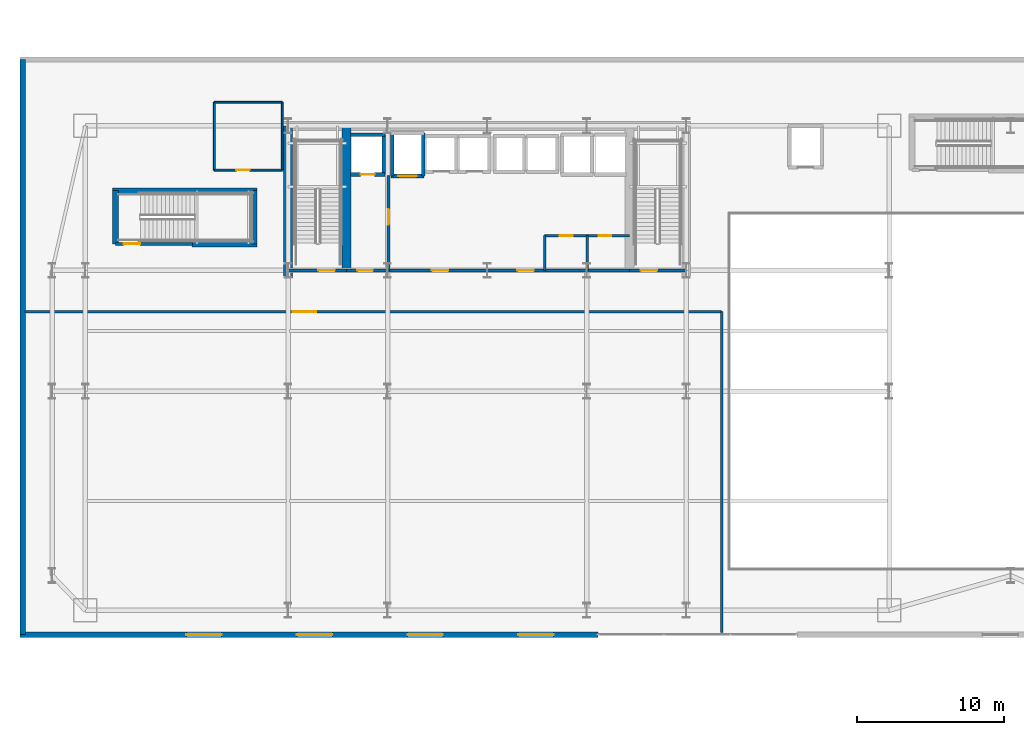
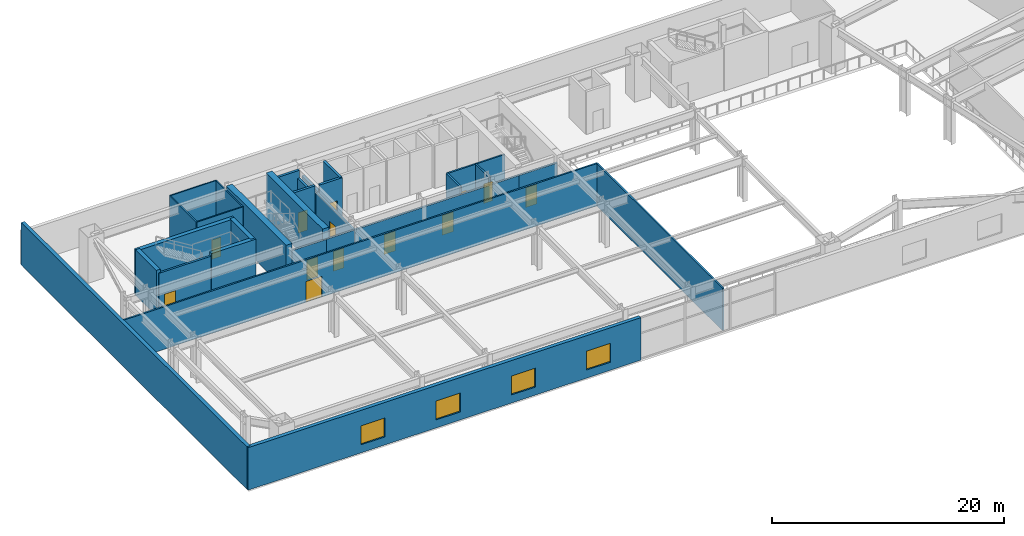
# One storey, part 12 of 25: 29 walls, 13 doors, 4 windows, 17 openings.
"""IFC4 building model written with IfcOpenShell, lengths in metres."""

from ifc_helpers import new_model, si_unit, direction, frame, frame_2d, origin, place, context, subcontext, project, spatial, rectangle, extrude, material, layer, layer_set, type_object, element, fill, save


model = new_model("IFC4")

# Units and contexts
model_context = context("Model", 3, precision=1e-05, world=origin(), true_north=direction((0.0, 1.0)))
body_context = subcontext(model_context, "Body", "Model", "MODEL_VIEW")
ifc_project = project(units=[si_unit("LENGTHUNIT", "METRE"), si_unit("AREAUNIT", "SQUARE_METRE"), si_unit("VOLUMEUNIT", "CUBIC_METRE"), si_unit("PLANEANGLEUNIT", "RADIAN"), si_unit("MASSUNIT", "GRAM", prefix="KILO")], contexts=[model_context])

# Site, building, storey
site_placement = place(None, origin())
site = spatial("IfcSite", under=ifc_project, at=site_placement, CompositionType="ELEMENT")
building_placement = place(site_placement, origin())
building = spatial("IfcBuilding", under=site, at=building_placement, Name="Haevon Station Towers", CompositionType="ELEMENT")
storey_placement = place(building_placement, frame((0.0, 0.0, 6.0)))
storey = spatial("IfcBuildingStorey", under=building, at=storey_placement, Name="L01", CompositionType="ELEMENT", Elevation=6.0)

# Wall, opening, door
ifc_material_1 = material(Name="Gypsum board on steel stud", Category="steel")
ifc_layer_1 = layer(ifc_material_1, 0.199951171875)
ifc_layer_set_1 = layer_set([ifc_layer_1], Name="Gypsum board on steel stud")
wall_type_1 = type_object("IfcWallType", Name="WL-COR200", PredefinedType="PARTITIONING", material=ifc_layer_set_1)
wall_1_placement = place(storey_placement, frame((24.0, 38.199951171875, 0.0), z_axis=(0.0, 0.0, 1.0), x_axis=(1.0, 0.0, 0.0)))
wall_1 = element("IfcWall", 1, at=wall_1_placement, inside=storey, type_object=wall_type_1, Name="WL-ST-ST1-L01", PredefinedType="PARTITIONING", context=body_context, shape_type="SweptSolid", body=[
    extrude(rectangle(XDim=3.949951171875, YDim=0.199951171875, at=frame_2d((1.97509765625, 0.0))), origin(), (0.0, 0.0, 1.0), 3.679931640625),
])
opening_1_placement = place(wall_1_placement, frame((2.050048828125, 0.0, 0.0)))
opening_1 = element("IfcOpeningElement", 2, at=opening_1_placement, cuts=wall_1, Name="Opening DR-ST-ST1-L01", PredefinedType="OPENING", context=body_context, shape_type="SweptSolid", body=[
    extrude(rectangle(XDim=1.1201171875, YDim=2.10009765625, at=frame_2d((0.56005859375, 1.050048828125))), frame((0.0, 0.10986328125, 0.0), z_axis=(0.0, -1.0, 0.0), x_axis=(1.0, 0.0, 0.0)), (0.0, 0.0, 1.0), 0.219970703125),
])
ifc_material_2 = material(Name="Engineered oak timber", Category="wood")
door_type_1 = type_object("IfcDoorType", Name="DR-ST-1120", OperationType="NOTDEFINED", PredefinedType="DOOR", material=ifc_material_2)
door_1_placement = place(opening_1_placement, origin())
door_1 = element("IfcDoor", 3, at=door_1_placement, inside=storey, type_object=door_type_1, Name="L01 Escape Stair ST1 Fire Door", OperationType="SINGLE_SWING_LEFT", OverallHeight=2.10009765625, OverallWidth=1.1201171875, PredefinedType="DOOR", context=body_context, shape_type="SweptSolid", body=[
    extrude(rectangle(XDim=1.1201171875, YDim=2.10009765625, at=frame_2d((0.56005859375, 1.050048828125))), frame((0.0, 0.02490234375, 0.0), z_axis=(0.0, -1.0, 0.0), x_axis=(1.0, 0.0, 0.0)), (0.0, 0.0, 1.0), 0.050048828125),
])
fill(opening_1, door_1)

wall_2_placement = place(storey_placement, frame((47.14990234375, 38.199951171875, 0.0), z_axis=(0.0, 0.0, 1.0), x_axis=(1.0, 0.0, 0.0)))
wall_2 = element("IfcWall", 4, at=wall_2_placement, inside=storey, type_object=wall_type_1, Name="WL-ST-ST2-L01", PredefinedType="PARTITIONING", context=body_context, shape_type="SweptSolid", body=[
    extrude(rectangle(XDim=3.85009765625, YDim=0.199951171875, at=frame_2d((1.925048828125, 0.0))), origin(), (0.0, 0.0, 1.0), 3.679931640625),
])
opening_2_placement = place(wall_2_placement, frame((0.75, 0.0, 0.0)))
opening_2 = element("IfcOpeningElement", 5, at=opening_2_placement, cuts=wall_2, Name="Opening DR-ST-ST2-L01", PredefinedType="OPENING", context=body_context, shape_type="SweptSolid", body=[
    extrude(rectangle(XDim=1.1201171875, YDim=2.10009765625, at=frame_2d((0.56005859375, 1.050048828125))), frame((0.0, 0.10986328125, 0.0), z_axis=(0.0, -1.0, 0.0), x_axis=(1.0, 0.0, 0.0)), (0.0, 0.0, 1.0), 0.219970703125),
])
door_2_placement = place(opening_2_placement, origin())
door_2 = element("IfcDoor", 6, at=door_2_placement, inside=storey, type_object=door_type_1, Name="L01 Escape Stair ST2 Fire Door", OperationType="SINGLE_SWING_RIGHT", OverallHeight=2.10009765625, OverallWidth=1.1201171875, PredefinedType="DOOR", context=body_context, shape_type="SweptSolid", body=[
    extrude(rectangle(XDim=1.1201171875, YDim=2.10009765625, at=frame_2d((0.56005859375, 1.050048828125))), frame((0.0, 0.02490234375, 0.0), z_axis=(0.0, -1.0, 0.0), x_axis=(1.0, 0.0, 0.0)), (0.0, 0.0, 1.0), 0.050048828125),
])
fill(opening_2, door_2)

wall_3_placement = place(storey_placement, frame((30.800048828125, 38.199951171875, 0.0), z_axis=(0.0, 0.0, 1.0), x_axis=(0.0, 1.0, 0.0)))
wall_3 = element("IfcWall", 7, at=wall_3_placement, inside=storey, type_object=wall_type_1, Name="WL-T1FFL-L01-E", PredefinedType="PARTITIONING", context=body_context, shape_type="SweptSolid", body=[
    extrude(rectangle(XDim=6.449951171875, YDim=0.199951171875, at=frame_2d((3.22509765625, 0.0))), origin(), (0.0, 0.0, 1.0), 3.679931640625),
])
opening_3_placement = place(wall_3_placement, frame((3.10009765625, 0.0, 0.0)))
opening_3 = element("IfcOpeningElement", 8, at=opening_3_placement, cuts=wall_3, Name="Opening DR-T1FFL-L01-E", PredefinedType="OPENING", context=body_context, shape_type="SweptSolid", body=[
    extrude(rectangle(XDim=1.050048828125, YDim=2.10009765625, at=frame_2d((0.52490234375, 1.050048828125))), frame((0.0, 0.10986328125, 0.0), z_axis=(0.0, -1.0, 0.0), x_axis=(1.0, 0.0, 0.0)), (0.0, 0.0, 1.0), 0.219970703125),
])
door_type_2 = type_object("IfcDoorType", Name="DR-FD60-1050", OperationType="NOTDEFINED", PredefinedType="DOOR", material=ifc_material_2)
door_3_placement = place(opening_3_placement, origin())
door_3 = element("IfcDoor", 9, at=door_3_placement, inside=storey, type_object=door_type_2, Name="L01 Tower 1 Firefighting Lift Lobby Door E", OperationType="SINGLE_SWING_LEFT", OverallHeight=2.10009765625, OverallWidth=1.050048828125, PredefinedType="DOOR", context=body_context, shape_type="SweptSolid", body=[
    extrude(rectangle(XDim=1.050048828125, YDim=2.10009765625, at=frame_2d((0.52490234375, 1.050048828125))), frame((0.0, 0.02490234375, 0.0), z_axis=(0.0, -1.0, 0.0), x_axis=(1.0, 0.0, 0.0)), (0.0, 0.0, 1.0), 0.050048828125),
])
fill(opening_3, door_3)

wall_4_placement = place(storey_placement, frame((27.949951171875, 38.199951171875, 0.0), z_axis=(0.0, 0.0, 1.0), x_axis=(1.0, 0.0, 0.0)))
wall_4 = element("IfcWall", 10, at=wall_4_placement, inside=storey, type_object=wall_type_1, Name="WL-T1FFL-L01-S", PredefinedType="PARTITIONING", context=body_context, shape_type="SweptSolid", body=[
    extrude(rectangle(XDim=2.85009765625, YDim=0.199951171875, at=frame_2d((1.425048828125, 0.0))), origin(), (0.0, 0.0, 1.0), 3.679931640625),
])
opening_4_placement = place(wall_4_placement, frame((0.75, 0.0, 0.0)))
opening_4 = element("IfcOpeningElement", 11, at=opening_4_placement, cuts=wall_4, Name="Opening DR-T1FFL-L01-S", PredefinedType="OPENING", context=body_context, shape_type="SweptSolid", body=[
    extrude(rectangle(XDim=1.050048828125, YDim=2.10009765625, at=frame_2d((0.52490234375, 1.050048828125))), frame((0.0, 0.10986328125, 0.0), z_axis=(0.0, -1.0, 0.0), x_axis=(1.0, 0.0, 0.0)), (0.0, 0.0, 1.0), 0.219970703125),
])
door_4_placement = place(opening_4_placement, origin())
door_4 = element("IfcDoor", 12, at=door_4_placement, inside=storey, type_object=door_type_2, Name="L01 Tower 1 Firefighting Lift Lobby Door S", OperationType="SINGLE_SWING_RIGHT", OverallHeight=2.10009765625, OverallWidth=1.050048828125, PredefinedType="DOOR", context=body_context, shape_type="SweptSolid", body=[
    extrude(rectangle(XDim=1.050048828125, YDim=2.10009765625, at=frame_2d((0.52490234375, 1.050048828125))), frame((0.0, 0.02490234375, 0.0), z_axis=(0.0, -1.0, 0.0), x_axis=(1.0, 0.0, 0.0)), (0.0, 0.0, 1.0), 0.050048828125),
])
fill(opening_4, door_4)

# Wall, openings, doors
wall_5_placement = place(storey_placement, frame((30.800048828125, 38.199951171875, 0.0), z_axis=(0.0, 0.0, 1.0), x_axis=(1.0, 0.0, 0.0)))
wall_5 = element("IfcWall", 13, at=wall_5_placement, inside=storey, type_object=wall_type_1, Name="WL-T1CLB-L01", PredefinedType="PARTITIONING", context=body_context, shape_type="SweptSolid", body=[
    extrude(rectangle(XDim=16.349853515625, YDim=0.199951171875, at=frame_2d((8.1748046875, 0.0))), origin(), (0.0, 0.0, 1.0), 3.679931640625),
])
opening_5_placement = place(wall_5_placement, frame((2.949951171875, 0.0, 0.0)))
opening_5 = element("IfcOpeningElement", 14, at=opening_5_placement, cuts=wall_5, Name="Opening DR-T1CLB-L01-1", PredefinedType="OPENING", context=body_context, shape_type="SweptSolid", body=[
    extrude(rectangle(XDim=1.1201171875, YDim=2.10009765625, at=frame_2d((0.56005859375, 1.050048828125))), frame((0.0, 0.10986328125, 0.0), z_axis=(0.0, -1.0, 0.0), x_axis=(1.0, 0.0, 0.0)), (0.0, 0.0, 1.0), 0.219970703125),
])
opening_6_placement = place(wall_5_placement, frame((8.75, 0.0, 0.0)))
opening_6 = element("IfcOpeningElement", 15, at=opening_6_placement, cuts=wall_5, Name="Opening DR-T1CLB-L01-2", PredefinedType="OPENING", context=body_context, shape_type="SweptSolid", body=[
    extrude(rectangle(XDim=1.1201171875, YDim=2.10009765625, at=frame_2d((0.56005859375, 1.050048828125))), frame((0.0, 0.10986328125, 0.0), z_axis=(0.0, -1.0, 0.0), x_axis=(1.0, 0.0, 0.0)), (0.0, 0.0, 1.0), 0.219970703125),
])
door_5_placement = place(opening_5_placement, origin())
door_5 = element("IfcDoor", 16, at=door_5_placement, inside=storey, type_object=door_type_1, Name="L01 Tower 1 Core Lift Lobby Door 1", OperationType="SINGLE_SWING_LEFT", OverallHeight=2.10009765625, OverallWidth=1.1201171875, PredefinedType="DOOR", context=body_context, shape_type="SweptSolid", body=[
    extrude(rectangle(XDim=1.1201171875, YDim=2.10009765625, at=frame_2d((0.56005859375, 1.050048828125))), frame((0.0, 0.02490234375, 0.0), z_axis=(0.0, -1.0, 0.0), x_axis=(1.0, 0.0, 0.0)), (0.0, 0.0, 1.0), 0.050048828125),
])
fill(opening_5, door_5)
door_6_placement = place(opening_6_placement, origin())
door_6 = element("IfcDoor", 17, at=door_6_placement, inside=storey, type_object=door_type_1, Name="L01 Tower 1 Core Lift Lobby Door 2", OperationType="SINGLE_SWING_RIGHT", OverallHeight=2.10009765625, OverallWidth=1.1201171875, PredefinedType="DOOR", context=body_context, shape_type="SweptSolid", body=[
    extrude(rectangle(XDim=1.1201171875, YDim=2.10009765625, at=frame_2d((0.56005859375, 1.050048828125))), frame((0.0, 0.02490234375, 0.0), z_axis=(0.0, -1.0, 0.0), x_axis=(1.0, 0.0, 0.0)), (0.0, 0.0, 1.0), 0.050048828125),
])
fill(opening_6, door_6)

# Wall, opening, door
wall_6_placement = place(storey_placement, frame((12.300048828125, 40.0, 0.0), z_axis=(0.0, 0.0, 1.0), x_axis=(1.0, 0.0, 0.0)))
wall_6 = element("IfcWall", 18, at=wall_6_placement, inside=storey, type_object=wall_type_1, Name="WL-ST-ST5-L01-S", PredefinedType="PARTITIONING", context=body_context, shape_type="SweptSolid", body=[
    extrude(rectangle(XDim=5.199951171875, YDim=0.199951171875, at=frame_2d((2.60009765625, 0.0))), origin(), (0.0, 0.0, 1.0), 4.47998046875),
])
opening_7_placement = place(wall_6_placement, frame((0.550048828125, 0.0, 0.0)))
opening_7 = element("IfcOpeningElement", 19, at=opening_7_placement, cuts=wall_6, Name="Opening DR-ST-ST5-L01", PredefinedType="OPENING", context=body_context, shape_type="SweptSolid", body=[
    extrude(rectangle(XDim=1.1201171875, YDim=2.10009765625, at=frame_2d((0.56005859375, 1.050048828125))), frame((0.0, 0.10986328125, 0.0), z_axis=(0.0, -1.0, 0.0), x_axis=(1.0, 0.0, 0.0)), (0.0, 0.0, 1.0), 0.219970703125),
])
door_7_placement = place(opening_7_placement, origin())
door_7 = element("IfcDoor", 20, at=door_7_placement, inside=storey, type_object=door_type_1, Name="L01 Station Escape Stair ST5 Fire Door", OperationType="SINGLE_SWING_RIGHT", OverallHeight=2.10009765625, OverallWidth=1.1201171875, PredefinedType="DOOR", context=body_context, shape_type="SweptSolid", body=[
    extrude(rectangle(XDim=1.1201171875, YDim=2.10009765625, at=frame_2d((0.56005859375, 1.050048828125))), frame((0.0, 0.02490234375, 0.0), z_axis=(0.0, -1.0, 0.0), x_axis=(1.0, 0.0, 0.0)), (0.0, 0.0, 1.0), 0.050048828125),
])
fill(opening_7, door_7)

# Walls
ifc_material_3 = material(Name="Concrete C60/75", Category="concrete")
ifc_layer_2 = layer(ifc_material_3, 0.39990234375)
ifc_layer_set_2 = layer_set([ifc_layer_2], Name="Concrete C60/75")
wall_type_2 = type_object("IfcWallType", Name="WL-CR400", PredefinedType="SHEAR", material=ifc_layer_set_2)
wall_7_placement = place(storey_placement, frame((12.10009765625, 43.60009765625, 0.0), z_axis=(0.0, 0.0, 1.0), x_axis=(1.0, 0.0, 0.0)))
element("IfcWall", 21, at=wall_7_placement, inside=storey, type_object=wall_type_2, Name="WL-ST5CR-L01-N", PredefinedType="SHEAR", context=body_context, shape_type="SweptSolid", body=[
    extrude(rectangle(XDim=9.7998046875, YDim=0.39990234375, at=frame_2d((4.89990234375, 0.0))), origin(), (0.0, 0.0, 1.0), 4.800048828125),
])
for number, where, z_axis, x_axis, name in (
    (22, (12.300048828125, 40.0, 0.0), (0.0, 0.0, 1.0), (0.0, 1.0, 0.0), "WL-ST5CR-L01-W"),
    (23, (21.699951171875, 40.0, 0.0), (0.0, 0.0, 1.0), (0.0, 1.0, 0.0), "WL-ST5CR-L01-E"),
):
    element("IfcWall", number, at=place(storey_placement, frame(where, z_axis=z_axis, x_axis=x_axis)), inside=storey, type_object=wall_type_2, Name=name, PredefinedType="SHEAR", context=body_context, shape_type="SweptSolid", body=[
        extrude(rectangle(XDim=3.60009765625, YDim=0.39990234375, at=frame_2d((1.800048828125, 0.0))), origin(), (0.0, 0.0, 1.0), 4.800048828125),
    ])
wall_8_placement = place(storey_placement, frame((17.5, 40.0, 0.0), z_axis=(0.0, 0.0, 1.0), x_axis=(1.0, 0.0, 0.0)))
element("IfcWall", 24, at=wall_8_placement, inside=storey, type_object=wall_type_2, Name="WL-ST5CR-L01-S2", PredefinedType="SHEAR", context=body_context, shape_type="SweptSolid", body=[
    extrude(rectangle(XDim=4.39990234375, YDim=0.39990234375, at=frame_2d((2.199951171875, 0.0))), origin(), (0.0, 0.0, 1.0), 4.800048828125),
])
ifc_layer_3 = layer(ifc_material_3, 0.60009765625)
ifc_layer_set_3 = layer_set([ifc_layer_3], Name="Concrete C60/75")
wall_type_3 = type_object("IfcWallType", Name="WL-CR600", PredefinedType="SHEAR", material=ifc_layer_set_3)
wall_9_placement = place(storey_placement, frame((24.0, 37.679931640625, 0.0), z_axis=(0.0, 0.0, 1.0), x_axis=(0.0, 1.0, 0.0)))
element("IfcWall", 25, at=wall_9_placement, inside=storey, type_object=wall_type_3, Name="WL-T1CR-L01-W", PredefinedType="SHEAR", context=body_context, shape_type="SweptSolid", body=[
    extrude(rectangle(XDim=10.320068359375, YDim=0.60009765625, at=frame_2d((5.16015625, 0.0))), origin(), (0.0, 0.0, 1.0), 4.800048828125),
])
wall_10_placement = place(storey_placement, frame((27.949951171875, 38.199951171875, 0.0), z_axis=(0.0, 0.0, 1.0), x_axis=(0.0, 1.0, 0.0)))
element("IfcWall", 26, at=wall_10_placement, inside=storey, type_object=wall_type_3, Name="WL-T1CR-L01-M1", PredefinedType="SHEAR", context=body_context, shape_type="SweptSolid", body=[
    extrude(rectangle(XDim=9.800048828125, YDim=0.60009765625, at=frame_2d((4.89990234375, 0.0))), origin(), (0.0, 0.0, 1.0), 4.800048828125),
])

# Wall, openings, windows
ifc_material_4 = material(Name="Precast concrete C45/55", Category="concrete")
ifc_layer_4 = layer(ifc_material_4, 0.360107421875)
ifc_layer_set_4 = layer_set([ifc_layer_4], Name="Precast concrete C45/55")
wall_type_4 = type_object("IfcWallType", Name="WL-EXT-POD360", PredefinedType="SOLIDWALL", material=ifc_layer_set_4)
wall_11_placement = place(storey_placement, frame((45.0, 13.5, 0.0), z_axis=(0.0, 0.0, 1.0), x_axis=(-1.0, 0.0, 0.0)))
wall_11 = element("IfcWall", 27, at=wall_11_placement, inside=storey, type_object=wall_type_4, Name="WL-POD-L01-S3", PredefinedType="SOLIDWALL", context=body_context, shape_type="SweptSolid", body=[
    extrude(rectangle(XDim=39.179931640625, YDim=0.360107421875, at=frame_2d((19.58984375, 0.0))), origin(), (0.0, 0.0, 1.0), 4.47998046875),
])
opening_8_placement = place(wall_11_placement, frame((3.0, 0.0, 0.85009765625)))
opening_8 = element("IfcOpeningElement", 28, at=opening_8_placement, cuts=wall_11, Name="Opening WN-P240", PredefinedType="OPENING", context=body_context, shape_type="SweptSolid", body=[
    extrude(rectangle(XDim=2.39990234375, YDim=2.0, at=frame_2d((1.199951171875, 1.0))), frame((0.0, 0.18994140625, 0.0), z_axis=(0.0, -1.0, 0.0), x_axis=(1.0, 0.0, 0.0)), (0.0, 0.0, 1.0), 0.380126953125),
])
opening_9_placement = place(wall_11_placement, frame((10.5, 0.0, 0.85009765625)))
opening_9 = element("IfcOpeningElement", 29, at=opening_9_placement, cuts=wall_11, Name="Opening WN-P240", PredefinedType="OPENING", context=body_context, shape_type="SweptSolid", body=[
    extrude(rectangle(XDim=2.39990234375, YDim=2.0, at=frame_2d((1.199951171875, 1.0))), frame((0.0, 0.18994140625, 0.0), z_axis=(0.0, -1.0, 0.0), x_axis=(1.0, 0.0, 0.0)), (0.0, 0.0, 1.0), 0.380126953125),
])
opening_10_placement = place(wall_11_placement, frame((18.0, 0.0, 0.85009765625)))
opening_10 = element("IfcOpeningElement", 30, at=opening_10_placement, cuts=wall_11, Name="Opening WN-P240", PredefinedType="OPENING", context=body_context, shape_type="SweptSolid", body=[
    extrude(rectangle(XDim=2.39990234375, YDim=2.0, at=frame_2d((1.199951171875, 1.0))), frame((0.0, 0.18994140625, 0.0), z_axis=(0.0, -1.0, 0.0), x_axis=(1.0, 0.0, 0.0)), (0.0, 0.0, 1.0), 0.380126953125),
])
opening_11_placement = place(wall_11_placement, frame((25.5, 0.0, 0.85009765625)))
opening_11 = element("IfcOpeningElement", 31, at=opening_11_placement, cuts=wall_11, Name="Opening WN-P240", PredefinedType="OPENING", context=body_context, shape_type="SweptSolid", body=[
    extrude(rectangle(XDim=2.39990234375, YDim=2.0, at=frame_2d((1.199951171875, 1.0))), frame((0.0, 0.18994140625, 0.0), z_axis=(0.0, -1.0, 0.0), x_axis=(1.0, 0.0, 0.0)), (0.0, 0.0, 1.0), 0.380126953125),
])
ifc_material_5 = material(Name="Low-E triple glazing in thermally broken aluminium", Category="aluminium")
window_type = type_object("IfcWindowType", Name="WN-P240", PartitioningType="SINGLE_PANEL", PredefinedType="WINDOW", material=ifc_material_5)
window_1_placement = place(opening_8_placement, origin())
window_1 = element("IfcWindow", 32, at=window_1_placement, inside=storey, type_object=window_type, Name="WN-POD-L01-S3-01", OverallHeight=2.0, OverallWidth=2.39990234375, PartitioningType="SINGLE_PANEL", PredefinedType="WINDOW", context=body_context, shape_type="SweptSolid", body=[
    extrude(rectangle(XDim=2.39990234375, YDim=2.0, at=frame_2d((1.199951171875, 1.0))), frame((0.0, 0.030029296875, 0.0), z_axis=(0.0, -1.0, 0.0), x_axis=(1.0, 0.0, 0.0)), (0.0, 0.0, 1.0), 0.06005859375),
])
fill(opening_8, window_1)
window_2_placement = place(opening_9_placement, origin())
window_2 = element("IfcWindow", 33, at=window_2_placement, inside=storey, type_object=window_type, Name="WN-POD-L01-S3-02", OverallHeight=2.0, OverallWidth=2.39990234375, PartitioningType="SINGLE_PANEL", PredefinedType="WINDOW", context=body_context, shape_type="SweptSolid", body=[
    extrude(rectangle(XDim=2.39990234375, YDim=2.0, at=frame_2d((1.199951171875, 1.0))), frame((0.0, 0.030029296875, 0.0), z_axis=(0.0, -1.0, 0.0), x_axis=(1.0, 0.0, 0.0)), (0.0, 0.0, 1.0), 0.06005859375),
])
fill(opening_9, window_2)
window_3_placement = place(opening_10_placement, origin())
window_3 = element("IfcWindow", 34, at=window_3_placement, inside=storey, type_object=window_type, Name="WN-POD-L01-S3-03", OverallHeight=2.0, OverallWidth=2.39990234375, PartitioningType="SINGLE_PANEL", PredefinedType="WINDOW", context=body_context, shape_type="SweptSolid", body=[
    extrude(rectangle(XDim=2.39990234375, YDim=2.0, at=frame_2d((1.199951171875, 1.0))), frame((0.0, 0.030029296875, 0.0), z_axis=(0.0, -1.0, 0.0), x_axis=(1.0, 0.0, 0.0)), (0.0, 0.0, 1.0), 0.06005859375),
])
fill(opening_10, window_3)
window_4_placement = place(opening_11_placement, origin())
window_4 = element("IfcWindow", 35, at=window_4_placement, inside=storey, type_object=window_type, Name="WN-POD-L01-S3-04", OverallHeight=2.0, OverallWidth=2.39990234375, PartitioningType="SINGLE_PANEL", PredefinedType="WINDOW", context=body_context, shape_type="SweptSolid", body=[
    extrude(rectangle(XDim=2.39990234375, YDim=2.0, at=frame_2d((1.199951171875, 1.0))), frame((0.0, 0.030029296875, 0.0), z_axis=(0.0, -1.0, 0.0), x_axis=(1.0, 0.0, 0.0)), (0.0, 0.0, 1.0), 0.06005859375),
])
fill(opening_11, window_4)

# Wall
wall_12_placement = place(storey_placement, frame((6.0, 13.5, 0.0), z_axis=(0.0, 0.0, 1.0), x_axis=(0.0, 1.0, 0.0)))
element("IfcWall", 36, at=wall_12_placement, inside=storey, type_object=wall_type_4, Name="WL-POD-L01-W", PredefinedType="SOLIDWALL", context=body_context, shape_type="SweptSolid", body=[
    extrude(rectangle(XDim=39.0, YDim=0.360107421875, at=frame_2d((19.5, 0.0))), origin(), (0.0, 0.0, 1.0), 4.47998046875),
])

# Wall, opening, door
ifc_layer_5 = layer(ifc_material_1, 0.125)
ifc_layer_set_5 = layer_set([ifc_layer_5], Name="Gypsum board on steel stud")
wall_type_5 = type_object("IfcWallType", Name="WL-PRT125", PredefinedType="PARTITIONING", material=ifc_layer_set_5)
wall_13_placement = place(storey_placement, frame((19.0, 45.0, 0.0), z_axis=(0.0, 0.0, 1.0), x_axis=(1.0, 0.0, 0.0)))
wall_13 = element("IfcWall", 37, at=wall_13_placement, inside=storey, type_object=wall_type_5, Name="WL-L01-WCS", PredefinedType="PARTITIONING", context=body_context, shape_type="SweptSolid", body=[
    extrude(rectangle(XDim=4.60009765625, YDim=0.125, at=frame_2d((2.300048828125, 0.0))), origin(), (0.0, 0.0, 1.0), 4.47998046875),
])
opening_12_placement = place(wall_13_placement, frame((1.5, 0.0, 0.0)))
opening_12 = element("IfcOpeningElement", 38, at=opening_12_placement, cuts=wall_13, Name="Opening DR-WL-L01-WCS-1", PredefinedType="OPENING", context=body_context, shape_type="SweptSolid", body=[
    extrude(rectangle(XDim=0.89990234375, YDim=2.050048828125, at=frame_2d((0.449951171875, 1.02490234375))), frame((0.0, 0.072509765625, 0.0), z_axis=(0.0, -1.0, 0.0), x_axis=(1.0, 0.0, 0.0)), (0.0, 0.0, 1.0), 0.14501953125),
])
door_type_3 = type_object("IfcDoorType", Name="DR-INT-900", OperationType="NOTDEFINED", PredefinedType="DOOR", material=ifc_material_2)
door_8_placement = place(opening_12_placement, origin())
door_8 = element("IfcDoor", 39, at=door_8_placement, inside=storey, type_object=door_type_3, Name="L01 Interior Door WL-L01-WCS-1", OperationType="SINGLE_SWING_RIGHT", OverallHeight=2.050048828125, OverallWidth=0.89990234375, PredefinedType="DOOR", context=body_context, shape_type="SweptSolid", body=[
    extrude(rectangle(XDim=0.89990234375, YDim=2.050048828125, at=frame_2d((0.449951171875, 1.02490234375))), frame((0.0, 0.02490234375, 0.0), z_axis=(0.0, -1.0, 0.0), x_axis=(1.0, 0.0, 0.0)), (0.0, 0.0, 1.0), 0.050048828125),
])
fill(opening_12, door_8)

# Walls
for number, where, z_axis, x_axis, name in (
    (40, (19.0, 49.60009765625, 0.0), (0.0, 0.0, 1.0), (1.0, 0.0, 0.0), "WL-L01-WCN"),
    (41, (19.0, 45.0, 0.0), (0.0, 0.0, 1.0), (0.0, 1.0, 0.0), "WL-L01-WCW"),
    (42, (23.60009765625, 45.0, 0.0), (0.0, 0.0, 1.0), (0.0, 1.0, 0.0), "WL-L01-WCE"),
):
    element("IfcWall", number, at=place(storey_placement, frame(where, z_axis=z_axis, x_axis=x_axis)), inside=storey, type_object=wall_type_5, Name=name, PredefinedType="PARTITIONING", context=body_context, shape_type="SweptSolid", body=[
        extrude(rectangle(XDim=4.60009765625, YDim=0.125, at=frame_2d((2.300048828125, 0.0))), origin(), (0.0, 0.0, 1.0), 4.47998046875),
    ])
ifc_layer_6 = layer(ifc_material_1, 0.159912109375)
ifc_layer_set_6 = layer_set([ifc_layer_6], Name="Gypsum board on steel stud")
wall_type_6 = type_object("IfcWallType", Name="WL-PRT160", PredefinedType="PARTITIONING", material=ifc_layer_set_6)
wall_14_placement = place(storey_placement, frame((53.39990234375, 13.64990234375, 0.0), z_axis=(0.0, 0.0, 1.0), x_axis=(0.0, 1.0, 0.0)))
element("IfcWall", 43, at=wall_14_placement, inside=storey, type_object=wall_type_6, Name="WL-L01-WEST", PredefinedType="PARTITIONING", context=body_context, shape_type="SweptSolid", body=[
    extrude(rectangle(XDim=21.75, YDim=0.159912109375, at=frame_2d((10.875, 0.0))), origin(), (0.0, 0.0, 1.0), 4.47998046875),
])

# Wall, opening, door
wall_15_placement = place(storey_placement, frame((6.14990234375, 35.39990234375, 0.0), z_axis=(0.0, 0.0, 1.0), x_axis=(1.0, 0.0, 0.0)))
wall_15 = element("IfcWall", 44, at=wall_15_placement, inside=storey, type_object=wall_type_6, Name="WL-L01-WESTN", PredefinedType="PARTITIONING", context=body_context, shape_type="SweptSolid", body=[
    extrude(rectangle(XDim=47.25, YDim=0.159912109375, at=frame_2d((23.625, 0.0))), origin(), (0.0, 0.0, 1.0), 4.47998046875),
])
opening_13_placement = place(wall_15_placement, frame((18.14990234375, 0.0, 0.0)))
opening_13 = element("IfcOpeningElement", 45, at=opening_13_placement, cuts=wall_15, Name="Opening DR-WL-L01-WESTN-1", PredefinedType="OPENING", context=body_context, shape_type="SweptSolid", body=[
    extrude(rectangle(XDim=1.60009765625, YDim=2.199951171875, at=frame_2d((0.800048828125, 1.10009765625))), frame((0.0, 0.08984375, 0.0), z_axis=(0.0, -1.0, 0.0), x_axis=(1.0, 0.0, 0.0)), (0.0, 0.0, 1.0), 0.179931640625),
])
door_type_4 = type_object("IfcDoorType", Name="DR-POD-1600", OperationType="NOTDEFINED", PredefinedType="DOOR", material=ifc_material_2)
door_9_placement = place(opening_13_placement, origin())
door_9 = element("IfcDoor", 46, at=door_9_placement, inside=storey, type_object=door_type_4, Name="L01 Interior Door WL-L01-WESTN-1", OperationType="DOUBLE_DOOR_SINGLE_SWING", OverallHeight=2.199951171875, OverallWidth=1.60009765625, PredefinedType="DOOR", context=body_context, shape_type="SweptSolid", body=[
    extrude(rectangle(XDim=1.60009765625, YDim=2.199951171875, at=frame_2d((0.800048828125, 1.10009765625))), frame((0.0, 0.02490234375, 0.0), z_axis=(0.0, -1.0, 0.0), x_axis=(1.0, 0.0, 0.0)), (0.0, 0.0, 1.0), 0.050048828125),
])
fill(opening_13, door_9)

# Walls
for number, where, z_axis, x_axis, name in (
    (47, (41.39990234375, 38.199951171875, 0.0), (0.0, 0.0, 1.0), (0.0, 1.0, 0.0), "WL-T1CW-L01-01"),
    (48, (44.280029296875, 38.199951171875, 0.0), (0.0, 0.0, 1.0), (0.0, 1.0, 0.0), "WL-T1CW-L01-02"),
):
    element("IfcWall", number, at=place(storey_placement, frame(where, z_axis=z_axis, x_axis=x_axis)), inside=storey, type_object=wall_type_6, Name=name, PredefinedType="PARTITIONING", context=body_context, shape_type="SweptSolid", body=[
        extrude(rectangle(XDim=2.35009765625, YDim=0.159912109375, at=frame_2d((1.175048828125, 0.0))), origin(), (0.0, 0.0, 1.0), 4.47998046875),
    ])

# Wall, openings, doors
wall_16_placement = place(storey_placement, frame((41.39990234375, 40.550048828125, 0.0), z_axis=(0.0, 0.0, 1.0), x_axis=(1.0, 0.0, 0.0)))
wall_16 = element("IfcWall", 49, at=wall_16_placement, inside=storey, type_object=wall_type_6, Name="WL-T1CW-L01-03", PredefinedType="PARTITIONING", context=body_context, shape_type="SweptSolid", body=[
    extrude(rectangle(XDim=5.75, YDim=0.159912109375, at=frame_2d((2.875, 0.0))), origin(), (0.0, 0.0, 1.0), 4.47998046875),
])
opening_14_placement = place(wall_16_placement, frame((1.034912109375, 0.0, 0.0)))
opening_14 = element("IfcOpeningElement", 50, at=opening_14_placement, cuts=wall_16, Name="Opening DR-WL-T1CW-L01-03-1", PredefinedType="OPENING", context=body_context, shape_type="SweptSolid", body=[
    extrude(rectangle(XDim=0.85009765625, YDim=2.050048828125, at=frame_2d((0.425048828125, 1.02490234375))), frame((0.0, 0.08984375, 0.0), z_axis=(0.0, -1.0, 0.0), x_axis=(1.0, 0.0, 0.0)), (0.0, 0.0, 1.0), 0.179931640625),
])
opening_15_placement = place(wall_16_placement, frame((3.655029296875, 0.0, 0.0)))
opening_15 = element("IfcOpeningElement", 51, at=opening_15_placement, cuts=wall_16, Name="Opening DR-WL-T1CW-L01-03-2", PredefinedType="OPENING", context=body_context, shape_type="SweptSolid", body=[
    extrude(rectangle(XDim=0.85009765625, YDim=2.050048828125, at=frame_2d((0.425048828125, 1.02490234375))), frame((0.0, 0.08984375, 0.0), z_axis=(0.0, -1.0, 0.0), x_axis=(1.0, 0.0, 0.0)), (0.0, 0.0, 1.0), 0.179931640625),
])
door_type_5 = type_object("IfcDoorType", Name="DR-FD30-850", OperationType="NOTDEFINED", PredefinedType="DOOR", material=ifc_material_2)
door_10_placement = place(opening_14_placement, origin())
door_10 = element("IfcDoor", 52, at=door_10_placement, inside=storey, type_object=door_type_5, Name="L01 Tower 1 Core Room Door 3-1", OperationType="SINGLE_SWING_RIGHT", OverallHeight=2.050048828125, OverallWidth=0.85009765625, PredefinedType="DOOR", context=body_context, shape_type="SweptSolid", body=[
    extrude(rectangle(XDim=0.85009765625, YDim=2.050048828125, at=frame_2d((0.425048828125, 1.02490234375))), frame((0.0, 0.02490234375, 0.0), z_axis=(0.0, -1.0, 0.0), x_axis=(1.0, 0.0, 0.0)), (0.0, 0.0, 1.0), 0.050048828125),
])
fill(opening_14, door_10)
door_11_placement = place(opening_15_placement, origin())
door_11 = element("IfcDoor", 53, at=door_11_placement, inside=storey, type_object=door_type_5, Name="L01 Tower 1 Core Room Door 3-2", OperationType="SINGLE_SWING_LEFT", OverallHeight=2.050048828125, OverallWidth=0.85009765625, PredefinedType="DOOR", context=body_context, shape_type="SweptSolid", body=[
    extrude(rectangle(XDim=0.85009765625, YDim=2.050048828125, at=frame_2d((0.425048828125, 1.02490234375))), frame((0.0, 0.02490234375, 0.0), z_axis=(0.0, -1.0, 0.0), x_axis=(1.0, 0.0, 0.0)), (0.0, 0.0, 1.0), 0.050048828125),
])
fill(opening_15, door_11)

# Wall, opening, door
ifc_material_6 = material(Name="Concrete C40/50", Category="concrete")
ifc_layer_7 = layer(ifc_material_6, 0.239990234375)
ifc_layer_set_7 = layer_set([ifc_layer_7], Name="Concrete C40/50")
wall_type_7 = type_object("IfcWallType", Name="WL-SHF240", PredefinedType="PARTITIONING", material=ifc_layer_set_7)
wall_17_placement = place(storey_placement, frame((28.219970703125, 44.699951171875, 0.0), z_axis=(0.0, 0.0, 1.0), x_axis=(1.0, 0.0, 0.0)))
wall_17 = element("IfcWall", 54, at=wall_17_placement, inside=storey, type_object=wall_type_7, Name="WL-SHF-FL1-L01", PredefinedType="PARTITIONING", context=body_context, shape_type="SweptSolid", body=[
    extrude(rectangle(XDim=2.360107421875, YDim=0.239990234375, at=frame_2d((1.18017578125, 0.0))), origin(), (0.0, 0.0, 1.0), 4.47998046875),
])
opening_16_placement = place(wall_17_placement, frame((0.705078125, 0.0, 0.0)))
opening_16 = element("IfcOpeningElement", 55, at=opening_16_placement, cuts=wall_17, Name="Opening LD-FL1-L01", PredefinedType="OPENING", context=body_context, shape_type="SweptSolid", body=[
    extrude(rectangle(XDim=0.949951171875, YDim=2.14990234375, at=frame_2d((0.47509765625, 1.074951171875))), frame((0.0, 0.1298828125, 0.0), z_axis=(0.0, -1.0, 0.0), x_axis=(1.0, 0.0, 0.0)), (0.0, 0.0, 1.0), 0.260009765625),
])
ifc_material_7 = material(Name="Stainless steel and rated core", Category="steel")
door_type_6 = type_object("IfcDoorType", Name="LD-FL950", OperationType="SLIDING_TO_LEFT", PredefinedType="DOOR", material=ifc_material_7)
door_12_placement = place(opening_16_placement, origin())
door_12 = element("IfcDoor", 56, at=door_12_placement, inside=storey, type_object=door_type_6, Name="L01 Lift FL1 Sliding Landing Door", OperationType="SLIDING_TO_LEFT", OverallHeight=2.14990234375, OverallWidth=0.949951171875, PredefinedType="DOOR", context=body_context, shape_type="SweptSolid", body=[
    extrude(rectangle(XDim=0.949951171875, YDim=2.14990234375, at=frame_2d((0.47509765625, 1.074951171875))), frame((0.0, 0.02490234375, 0.0), z_axis=(0.0, -1.0, 0.0), x_axis=(1.0, 0.0, 0.0)), (0.0, 0.0, 1.0), 0.050048828125),
])
fill(opening_16, door_12)

# Walls
wall_18_placement = place(storey_placement, frame((28.219970703125, 47.39990234375, 0.0), z_axis=(0.0, 0.0, 1.0), x_axis=(1.0, 0.0, 0.0)))
element("IfcWall", 57, at=wall_18_placement, inside=storey, type_object=wall_type_7, Name="WL-SHF-FL1-L01-N", PredefinedType="PARTITIONING", context=body_context, shape_type="SweptSolid", body=[
    extrude(rectangle(XDim=2.360107421875, YDim=0.239990234375, at=frame_2d((1.18017578125, 0.0))), origin(), (0.0, 0.0, 1.0), 4.47998046875),
])
wall_19_placement = place(storey_placement, frame((30.5, 44.699951171875, 0.0), z_axis=(0.0, 0.0, 1.0), x_axis=(0.0, 1.0, 0.0)))
element("IfcWall", 58, at=wall_19_placement, inside=storey, type_object=wall_type_7, Name="WL-SHF-FL1-L01-E", PredefinedType="PARTITIONING", context=body_context, shape_type="SweptSolid", body=[
    extrude(rectangle(XDim=2.699951171875, YDim=0.239990234375, at=frame_2d((1.35009765625, 0.0))), origin(), (0.0, 0.0, 1.0), 3.679931640625),
])

# Wall, opening, door
wall_20_placement = place(storey_placement, frame((30.969970703125, 44.60009765625, 0.0), z_axis=(0.0, 0.0, 1.0), x_axis=(1.0, 0.0, 0.0)))
wall_20 = element("IfcWall", 59, at=wall_20_placement, inside=storey, type_object=wall_type_7, Name="WL-SHF-SL1-L01", PredefinedType="PARTITIONING", context=body_context, shape_type="SweptSolid", body=[
    extrude(rectangle(XDim=2.260009765625, YDim=0.239990234375, at=frame_2d((1.1298828125, 0.0))), origin(), (0.0, 0.0, 1.0), 4.47998046875),
])
opening_17_placement = place(wall_20_placement, frame((0.5048828125, 0.0, 0.0)))
opening_17 = element("IfcOpeningElement", 60, at=opening_17_placement, cuts=wall_20, Name="Opening LD-SL1-L01", PredefinedType="OPENING", context=body_context, shape_type="SweptSolid", body=[
    extrude(rectangle(XDim=1.25, YDim=2.199951171875, at=frame_2d((0.625, 1.10009765625))), frame((0.0, 0.1298828125, 0.0), z_axis=(0.0, -1.0, 0.0), x_axis=(1.0, 0.0, 0.0)), (0.0, 0.0, 1.0), 0.260009765625),
])
door_type_7 = type_object("IfcDoorType", Name="LD-SL1250", OperationType="SLIDING_TO_LEFT", PredefinedType="DOOR", material=ifc_material_7)
door_13_placement = place(opening_17_placement, origin())
door_13 = element("IfcDoor", 61, at=door_13_placement, inside=storey, type_object=door_type_7, Name="L01 Lift SL1 Sliding Landing Door", OperationType="SLIDING_TO_LEFT", OverallHeight=2.199951171875, OverallWidth=1.25, PredefinedType="DOOR", context=body_context, shape_type="SweptSolid", body=[
    extrude(rectangle(XDim=1.25, YDim=2.199951171875, at=frame_2d((0.625, 1.10009765625))), frame((0.0, 0.02490234375, 0.0), z_axis=(0.0, -1.0, 0.0), x_axis=(1.0, 0.0, 0.0)), (0.0, 0.0, 1.0), 0.050048828125),
])
fill(opening_17, door_13)

# Walls
wall_21_placement = place(storey_placement, frame((31.050048828125, 44.60009765625, 0.0), z_axis=(0.0, 0.0, 1.0), x_axis=(0.0, 1.0, 0.0)))
element("IfcWall", 62, at=wall_21_placement, inside=storey, type_object=wall_type_7, Name="WL-SHF-SL1-L01-W", PredefinedType="PARTITIONING", context=body_context, shape_type="SweptSolid", body=[
    extrude(rectangle(XDim=2.89990234375, YDim=0.239990234375, at=frame_2d((1.449951171875, 0.0))), origin(), (0.0, 0.0, 1.0), 3.679931640625),
])
wall_22_placement = place(storey_placement, frame((33.14990234375, 44.60009765625, 0.0), z_axis=(0.0, 0.0, 1.0), x_axis=(0.0, 1.0, 0.0)))
element("IfcWall", 63, at=wall_22_placement, inside=storey, type_object=wall_type_7, Name="WL-SHF-SL1-L01-E", PredefinedType="PARTITIONING", context=body_context, shape_type="SweptSolid", body=[
    extrude(rectangle(XDim=2.89990234375, YDim=0.239990234375, at=frame_2d((1.449951171875, 0.0))), origin(), (0.0, 0.0, 1.0), 4.47998046875),
])

save(model, "model.ifc")
